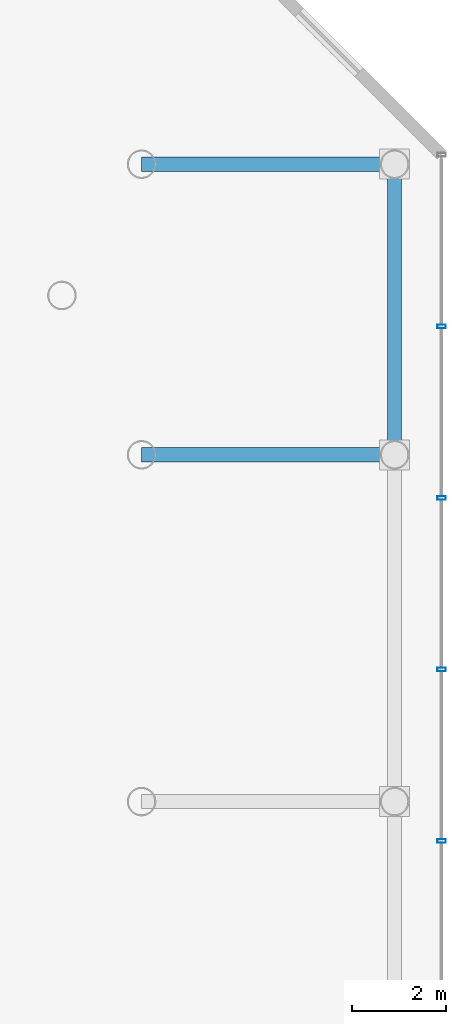
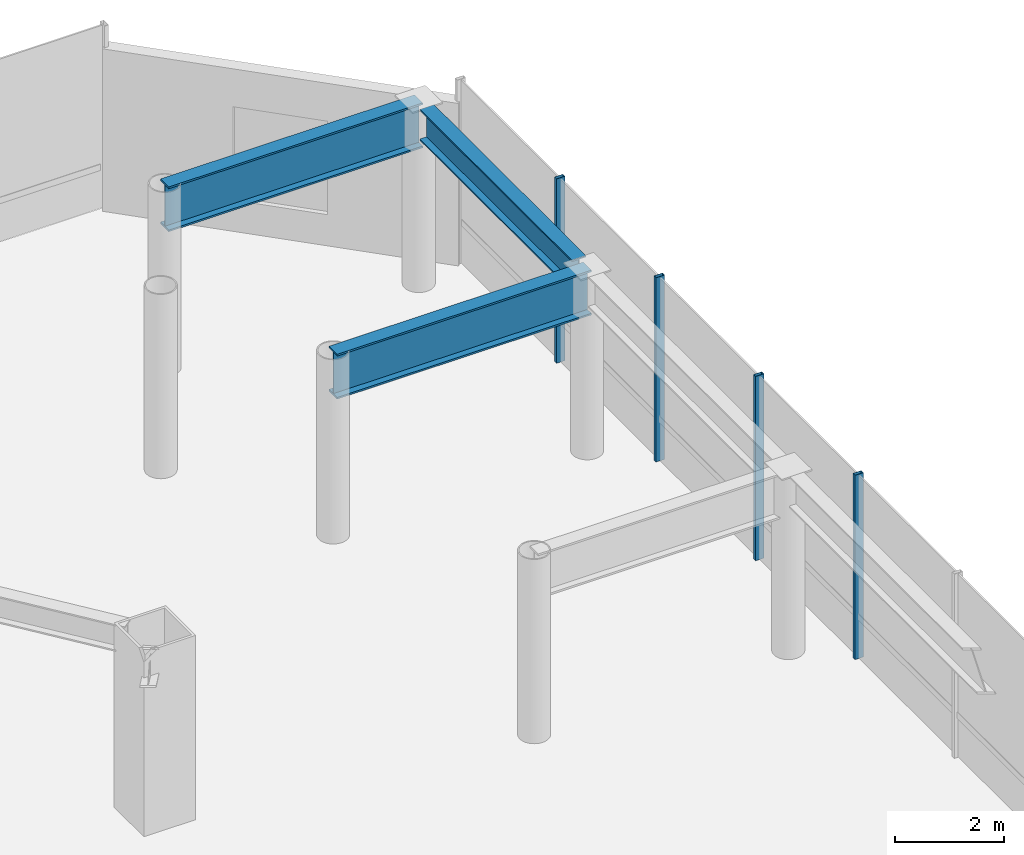
# One storey, part 30 of 37: 4 members, 3 beams, 1 element without a shape of its own.
"""IFC4 building model written with IfcOpenShell, lengths in metres."""

from ifc_helpers import new_model, si_unit, direction, frame, origin, origin_2d, place, context, subcontext, project, spatial, hollow_rectangle, i_section, extrude, material, layer, layer_set, material_profile, profile_set, type_object, element, aggregate, save


model = new_model("IFC4")

# Units and contexts
model_context = context("Model", 3, precision=1e-05, world=origin(), true_north=direction((0.0, 1.0)))
body_context = subcontext(model_context, "Body", "Model", "MODEL_VIEW")
ifc_project = project(units=[si_unit("LENGTHUNIT", "METRE"), si_unit("AREAUNIT", "SQUARE_METRE"), si_unit("VOLUMEUNIT", "CUBIC_METRE"), si_unit("PLANEANGLEUNIT", "RADIAN"), si_unit("MASSUNIT", "GRAM", prefix="KILO")], contexts=[model_context])

# Site, building, storey
site_placement = place(None, origin())
site = spatial("IfcSite", under=ifc_project, at=site_placement, CompositionType="ELEMENT")
building_placement = place(site_placement, origin())
building = spatial("IfcBuilding", under=site, at=building_placement, Name="Zarrinselat Tower", CompositionType="ELEMENT")
storey_placement = place(building_placement, frame((0.0, 0.0, 13.93994140625)))
storey = spatial("IfcBuildingStorey", under=building, at=storey_placement, Name="L03", CompositionType="ELEMENT", Elevation=13.93994140625)

# Beams
ifc_material_1 = material(Name="Steel S355J2", Category="steel")
ifc_material_profile_1 = material_profile(ifc_material_1, i_section(OverallWidth=0.300048828125, OverallDepth=0.699951171875, WebThickness=0.01708984375, FlangeThickness=0.031982421875, at=origin_2d()), Name="HEB 700")
ifc_profile_set_1 = profile_set([ifc_material_profile_1], Name="Steel S355J2")
beam_type_1 = type_object("IfcBeamType", Name="BM-HEB700", PredefinedType="SPANDREL", material=ifc_profile_set_1)
beam_placement = place(storey_placement, frame((73.39990234375, 40.89990234375, 3.7900390625), z_axis=(0.0, 1.0, 0.0), x_axis=(-1.0, 0.0, 0.0)))
element("IfcBeam", 1, at=beam_placement, inside=storey, type_object=beam_type_1, Name="L03 Podium Perimeter Beam E-40", PredefinedType="SPANDREL", context=body_context, shape_type="SweptSolid", body=[
    extrude(i_section(OverallWidth=0.300048828125, OverallDepth=0.699951171875, WebThickness=0.01708984375, FlangeThickness=0.031982421875, at=origin_2d()), origin(), (0.0, 0.0, 1.0), 5.60009765625),
])
ifc_material_2 = material(Name="Steel S460M", Category="steel")
ifc_material_profile_2 = material_profile(ifc_material_2, i_section(OverallWidth=0.302001953125, OverallDepth=1.008056640625, WebThickness=0.02099609375, FlangeThickness=0.0400390625, at=origin_2d()), Name="HEM 1000")
ifc_profile_set_2 = profile_set([ifc_material_profile_2], Name="Steel S460M")
beam_type_2 = type_object("IfcBeamType", Name="BM-PDTR-HEM1000", PredefinedType="BEAM", material=ifc_profile_set_2)
for number, where, z_axis, x_axis, name in (
    (2, (68.0, 40.60009765625, 3.635986328125), (1.0, 0.0, 0.0), (0.0, 1.0, 0.0), "L03 Podium Transfer Girder E-40"),
    (3, (68.0, 46.800048828125, 3.635986328125), (1.0, 0.0, 0.0), (0.0, 1.0, 0.0), "L03 Podium Transfer Girder E-46"),
):
    element("IfcBeam", number, at=place(storey_placement, frame(where, z_axis=z_axis, x_axis=x_axis)), inside=storey, type_object=beam_type_2, Name=name, PredefinedType="BEAM", context=body_context, shape_type="SweptSolid", body=[
        extrude(i_section(OverallWidth=0.302001953125, OverallDepth=1.008056640625, WebThickness=0.02099609375, FlangeThickness=0.0400390625, at=origin_2d()), origin(), (0.0, 0.0, 1.0), 5.39990234375),
    ])

# Curtain wall, members
ifc_material_3 = material(Name="Extruded Aluminium Alloy EN AW-6063 T6", Category="aluminium")
ifc_layer = layer(ifc_material_3, 0.2099609375)
ifc_layer_set = layer_set([ifc_layer], Name="Extruded Aluminium Alloy EN AW-6063 T6")
curtain_wall_type = type_object("IfcCurtainWallType", Name="CWS-POD", PredefinedType="NOTDEFINED", material=ifc_layer_set)
curtain_wall_placement = place(storey_placement, origin())
curtain_wall = element("IfcCurtainWall", 4, at=curtain_wall_placement, inside=storey, type_object=curtain_wall_type, Name="L03 Unitised Curtain Wall CW-L03-F3", PredefinedType="NOTDEFINED")
ifc_material_4 = material(Name="Extruded Aluminium Alloy EN AW-6063 T6", Category="aluminium")
ifc_material_profile_3 = material_profile(ifc_material_4, hollow_rectangle(XDim=0.080078125, YDim=0.179931640625, WallThickness=0.0048828125, at=origin_2d()), Name="RHS 180x80x5")
ifc_profile_set_3 = profile_set([ifc_material_profile_3], Name="Extruded Aluminium Alloy EN AW-6063 T6")
member_type = type_object("IfcMemberType", Name="MEM-CW-MUL", PredefinedType="MULLION", material=ifc_profile_set_3)
member_1_placement = place(storey_placement, frame((74.39990234375, 32.360107421875, 0.0), z_axis=(0.0, 0.0, 1.0), x_axis=(0.0, 1.0, 0.0)))
member_1 = element("IfcMember", 5, at=member_1_placement, type_object=member_type, Name="CW-L03-F3 Mullion 6", PredefinedType="MULLION", context=body_context, shape_type="SweptSolid", body=[
    extrude(hollow_rectangle(XDim=0.080078125, YDim=0.179931640625, WallThickness=0.0048828125, at=origin_2d()), origin(), (0.0, 0.0, 1.0), 4.14013671875),
])
member_2_placement = place(storey_placement, frame((74.39990234375, 36.02001953125, 0.0), z_axis=(0.0, 0.0, 1.0), x_axis=(0.0, 1.0, 0.0)))
member_2 = element("IfcMember", 6, at=member_2_placement, type_object=member_type, Name="CW-L03-F3 Mullion 7", PredefinedType="MULLION", context=body_context, shape_type="SweptSolid", body=[
    extrude(hollow_rectangle(XDim=0.080078125, YDim=0.179931640625, WallThickness=0.0048828125, at=origin_2d()), origin(), (0.0, 0.0, 1.0), 4.14013671875),
])
member_3_placement = place(storey_placement, frame((74.39990234375, 39.679931640625, 0.0), z_axis=(0.0, 0.0, 1.0), x_axis=(0.0, 1.0, 0.0)))
member_3 = element("IfcMember", 7, at=member_3_placement, type_object=member_type, Name="CW-L03-F3 Mullion 8", PredefinedType="MULLION", context=body_context, shape_type="SweptSolid", body=[
    extrude(hollow_rectangle(XDim=0.080078125, YDim=0.179931640625, WallThickness=0.0048828125, at=origin_2d()), origin(), (0.0, 0.0, 1.0), 4.14013671875),
])
member_4_placement = place(storey_placement, frame((74.39990234375, 43.340087890625, 0.0), z_axis=(0.0, 0.0, 1.0), x_axis=(0.0, 1.0, 0.0)))
member_4 = element("IfcMember", 8, at=member_4_placement, type_object=member_type, Name="CW-L03-F3 Mullion 9", PredefinedType="MULLION", context=body_context, shape_type="SweptSolid", body=[
    extrude(hollow_rectangle(XDim=0.080078125, YDim=0.179931640625, WallThickness=0.0048828125, at=origin_2d()), origin(), (0.0, 0.0, 1.0), 4.14013671875),
])
aggregate(curtain_wall, [member_1, member_2, member_3, member_4])

save(model, "model.ifc")
